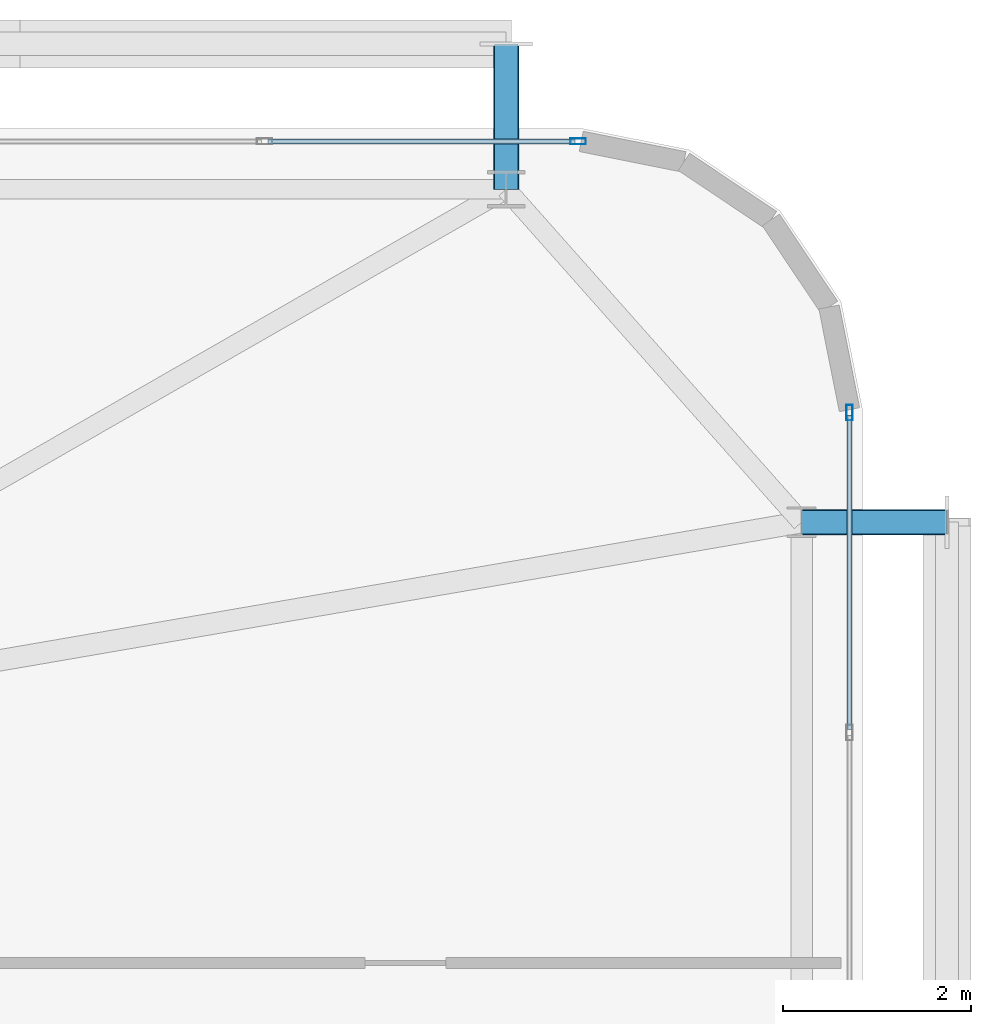
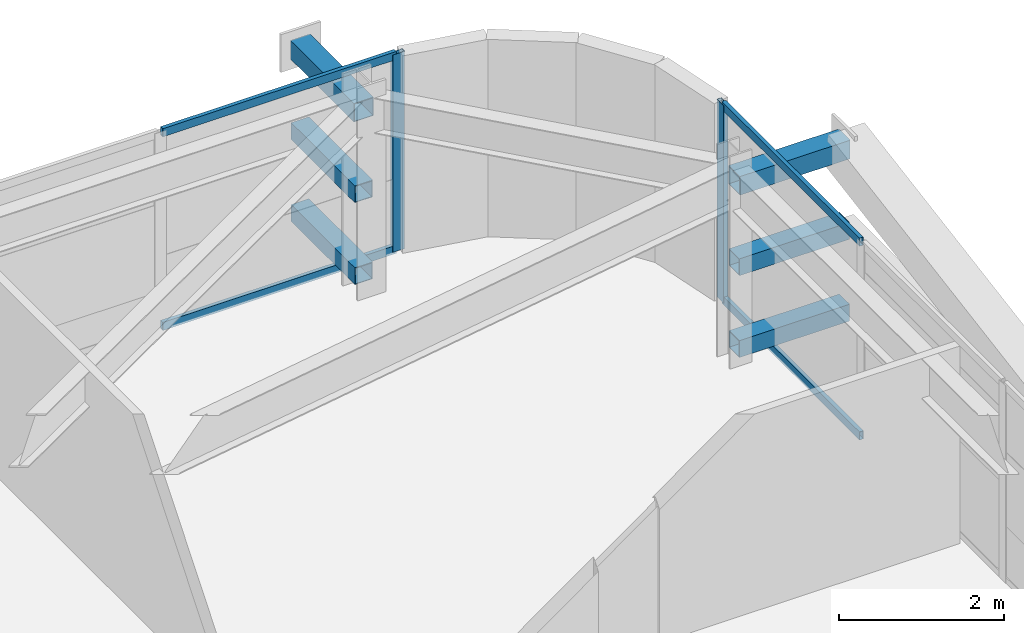
# One storey, part 41 of 59: 12 members, 2 elements without a shape of their own.
"""IFC4 building model written with IfcOpenShell, lengths in metres."""

from ifc_helpers import new_model, si_unit, direction, frame, origin, origin_2d, place, context, subcontext, project, spatial, hollow_rectangle, extrude, source, transform, mapped, material, layer, layer_set, material_profile, profile_set, type_object, element, aggregate, save


model = new_model("IFC4")

# Units and contexts
model_context = context("Model", 3, precision=1e-05, world=origin(), true_north=direction((0.0, 1.0)))
body_context = subcontext(model_context, "Body", "Model", "MODEL_VIEW")
ifc_project = project(units=[si_unit("LENGTHUNIT", "METRE"), si_unit("AREAUNIT", "SQUARE_METRE"), si_unit("VOLUMEUNIT", "CUBIC_METRE"), si_unit("PLANEANGLEUNIT", "RADIAN"), si_unit("MASSUNIT", "GRAM", prefix="KILO")], contexts=[model_context])

# Site, building, storey
site_placement = place(None, origin())
site = spatial("IfcSite", under=ifc_project, at=site_placement, CompositionType="ELEMENT")
building_placement = place(site_placement, origin())
building = spatial("IfcBuilding", under=site, at=building_placement, Name="Taldren Reach Tower", CompositionType="ELEMENT")
storey_placement = place(building_placement, frame((0.0, 0.0, 45.14990234375)))
storey = spatial("IfcBuildingStorey", under=building, at=storey_placement, Name="L13", CompositionType="ELEMENT", Elevation=45.14990234375)

# Members
ifc_material_1 = material(Name="Steel Gr 450 (C450L0)", Category="steel")
ifc_material_profile_1 = material_profile(ifc_material_1, hollow_rectangle(XDim=0.27490234375, YDim=0.27490234375, WallThickness=0.00927734375, at=origin_2d()), Name="275x275x9.3SHS")
ifc_profile_set_1 = profile_set([ifc_material_profile_1], Name="Steel Gr 450 (C450L0)")
member_type_1 = type_object("IfcMemberType", Name="MB-TIE273", PredefinedType="STRUT", material=ifc_profile_set_1)
shared_shape_1 = source(origin(), body_context, "Body", "SweptSolid", [
    extrude(hollow_rectangle(XDim=0.27490234375, YDim=0.27490234375, WallThickness=0.00927734375, at=origin_2d()), origin(), (0.0, 0.0, 1.0), 1.5498046875),
])
for number, where, z_axis, x_axis, name in (
    (1, (61.199951171875, 37.85009765625, 2.650146484375), (0.0, 1.0, 0.0), (-1.0, 0.0, 0.0), "Exoskeleton diaphragm tie strut B1-N6 L13"),
    (2, (64.35009765625, 34.300048828125, 2.650146484375), (1.0, 0.0, 0.0), (0.0, 1.0, 0.0), "Exoskeleton diaphragm tie strut B1-E3 L13"),
):
    element("IfcMember", number, at=place(storey_placement, frame(where, z_axis=z_axis, x_axis=x_axis)), inside=storey, type_object=member_type_1, Name=name, PredefinedType="STRUT", context=body_context, shape_type="MappedRepresentation", body=[
        mapped(shared_shape_1, transform((0.0, 0.0, 0.0), scale=1.0)),
    ])
ifc_material_2 = material(Name="Steel Gr 350 (C350L0)", Category="steel")
ifc_material_profile_2 = material_profile(ifc_material_2, hollow_rectangle(XDim=0.25, YDim=0.25, WallThickness=0.010009765625, at=origin_2d()), Name="250x250x10.0SHS")
ifc_profile_set_2 = profile_set([ifc_material_profile_2], Name="Steel Gr 350 (C350L0)")
member_type_2 = type_object("IfcMemberType", Name="MB-POST250", PredefinedType="POST", material=ifc_profile_set_2)
shared_shape_2 = source(origin(), body_context, "Body", "SweptSolid", [
    extrude(hollow_rectangle(XDim=0.25, YDim=0.25, WallThickness=0.010009765625, at=origin_2d()), origin(), (0.0, 0.0, 1.0), 1.5498046875),
])
for number, where, z_axis, x_axis, name in (
    (3, (61.199951171875, 37.85009765625, 0.22021484375), (0.0, 1.0, 0.0), (-1.0, 0.0, 0.0), "Exoskeleton base diaphragm tie strut B1-N6 L13"),
    (4, (64.35009765625, 34.300048828125, 0.22021484375), (1.0, 0.0, 0.0), (0.0, 1.0, 0.0), "Exoskeleton base diaphragm tie strut B1-E3 L13"),
    (5, (61.199951171875, 37.85009765625, 1.43505859375), (0.0, 1.0, 0.0), (-1.0, 0.0, 0.0), "Exoskeleton mid-tier diaphragm tie B1-N6 L13"),
    (6, (64.35009765625, 34.300048828125, 1.43505859375), (1.0, 0.0, 0.0), (0.0, 1.0, 0.0), "Exoskeleton mid-tier diaphragm tie B1-E3 L13"),
):
    element("IfcMember", number, at=place(storey_placement, frame(where, z_axis=z_axis, x_axis=x_axis)), inside=storey, type_object=member_type_2, Name=name, PredefinedType="POST", context=body_context, shape_type="MappedRepresentation", body=[
        mapped(shared_shape_2, transform((0.0, 0.0, 0.0), scale=1.0)),
    ])

# Curtain wall, members
ifc_material_3 = material(Name="Aluminium and Low-E Glass Unitised System", Category="aluminium")
ifc_layer = layer(ifc_material_3, 0.159912109375)
ifc_layer_set = layer_set([ifc_layer], Name="Aluminium and Low-E Glass Unitised System")
curtain_wall_type = type_object("IfcCurtainWallType", Name="CW-SYS-2", PredefinedType="NOTDEFINED", material=ifc_layer_set)
curtain_wall_1_placement = place(storey_placement, origin())
curtain_wall_1 = element("IfcCurtainWall", 7, at=curtain_wall_1_placement, inside=storey, type_object=curtain_wall_type, Name="Unitised curtain wall CW-L13-N", PredefinedType="NOTDEFINED")
ifc_material_4 = material(Name="Anodised Aluminium 6063-T6", Category="aluminium")
ifc_material_profile_3 = material_profile(ifc_material_4, hollow_rectangle(XDim=0.054931640625, YDim=0.1201171875, WallThickness=0.0029296875, at=origin_2d()), Name="ALU-120x55x3RHS")
ifc_profile_set_3 = profile_set([ifc_material_profile_3], Name="Anodised Aluminium 6063-T6")
member_type_3 = type_object("IfcMemberType", Name="CW-TRN-135", PredefinedType="USERDEFINED", material=ifc_profile_set_3)
shared_shape_3 = source(origin(), body_context, "Body", "SweptSolid", [
    extrude(hollow_rectangle(XDim=0.054931640625, YDim=0.1201171875, WallThickness=0.0029296875, at=origin_2d()), origin(), (0.0, 0.0, 1.0), 3.277587890625),
])
member_1_placement = place(storey_placement, frame((61.93505859375, 38.360107421875, 0.027587890625), z_axis=(-1.0, 0.0, 0.0), x_axis=(0.0, -1.0, 0.0)))
member_1 = element("IfcMember", 8, at=member_1_placement, type_object=member_type_3, Name="CW-2 transom 1.1", ObjectType="TRANSOM", PredefinedType="USERDEFINED", context=body_context, shape_type="MappedRepresentation", body=[
    mapped(shared_shape_3, transform((0.0, 0.0, 0.0), scale=1.0)),
])
member_2_placement = place(storey_placement, frame((61.93505859375, 38.360107421875, 2.902587890625), z_axis=(-1.0, 0.0, 0.0), x_axis=(0.0, -1.0, 0.0)))
member_2 = element("IfcMember", 9, at=member_2_placement, type_object=member_type_3, Name="CW-2 transom 1.2", ObjectType="TRANSOM", PredefinedType="USERDEFINED", context=body_context, shape_type="MappedRepresentation", body=[
    mapped(shared_shape_3, transform((0.0, 0.0, 0.0), scale=1.0)),
])

curtain_wall_2_placement = place(storey_placement, origin())
curtain_wall_2 = element("IfcCurtainWall", 10, at=curtain_wall_2_placement, inside=storey, type_object=curtain_wall_type, Name="Unitised curtain wall CW-L13-E", PredefinedType="NOTDEFINED")
shared_shape_4 = source(origin(), body_context, "Body", "SweptSolid", [
    extrude(hollow_rectangle(XDim=0.054931640625, YDim=0.1201171875, WallThickness=0.0029296875, at=origin_2d()), origin(), (0.0, 0.0, 1.0), 3.346923828125),
])
member_3_placement = place(storey_placement, frame((64.860107421875, 32.088134765625, 0.027587890625), z_axis=(0.0, 1.0, 0.0), x_axis=(-1.0, 0.0, 0.0)))
member_3 = element("IfcMember", 11, at=member_3_placement, type_object=member_type_3, Name="CW-2 transom 9.1", ObjectType="TRANSOM", PredefinedType="USERDEFINED", context=body_context, shape_type="MappedRepresentation", body=[
    mapped(shared_shape_4, transform((0.0, 0.0, 0.0), scale=1.0)),
])
member_4_placement = place(storey_placement, frame((64.860107421875, 32.088134765625, 2.902587890625), z_axis=(0.0, 1.0, 0.0), x_axis=(-1.0, 0.0, 0.0)))
member_4 = element("IfcMember", 12, at=member_4_placement, type_object=member_type_3, Name="CW-2 transom 9.2", ObjectType="TRANSOM", PredefinedType="USERDEFINED", context=body_context, shape_type="MappedRepresentation", body=[
    mapped(shared_shape_4, transform((0.0, 0.0, 0.0), scale=1.0)),
])

# Member
ifc_material_profile_4 = material_profile(ifc_material_4, hollow_rectangle(XDim=0.06494140625, YDim=0.1650390625, WallThickness=0.00390625, at=origin_2d()), Name="ALU-165x65x4RHS")
ifc_profile_set_4 = profile_set([ifc_material_profile_4], Name="Anodised Aluminium 6063-T6")
member_type_4 = type_object("IfcMemberType", Name="CW-MUL-165", PredefinedType="MULLION", material=ifc_profile_set_4)
shared_shape_5 = source(origin(), body_context, "Body", "SweptSolid", [
    extrude(hollow_rectangle(XDim=0.06494140625, YDim=0.1650390625, WallThickness=0.00390625, at=origin_2d()), origin(), (0.0, 0.0, 1.0), 2.93017578125),
])
member_5_placement = place(storey_placement, frame((61.967529296875, 38.360107421875, 0.0), z_axis=(0.0, 0.0, 1.0), x_axis=(0.0, -1.0, 0.0)))
member_5 = element("IfcMember", 13, at=member_5_placement, type_object=member_type_4, Name="CW-2 mullion 1", PredefinedType="MULLION", context=body_context, shape_type="MappedRepresentation", body=[
    mapped(shared_shape_5, transform((0.0, 0.0, 0.0), scale=1.0)),
])

aggregate(curtain_wall_1, [member_5, member_1, member_2])

member_6_placement = place(storey_placement, frame((64.860107421875, 35.467529296875, 0.0), z_axis=(0.0, 0.0, 1.0), x_axis=(-1.0, 0.0, 0.0)))
member_6 = element("IfcMember", 14, at=member_6_placement, type_object=member_type_4, Name="CW-2 mullion 10", PredefinedType="MULLION", context=body_context, shape_type="MappedRepresentation", body=[
    mapped(shared_shape_5, transform((0.0, 0.0, 0.0), scale=1.0)),
])

aggregate(curtain_wall_2, [member_6, member_3, member_4])

save(model, "model.ifc")
